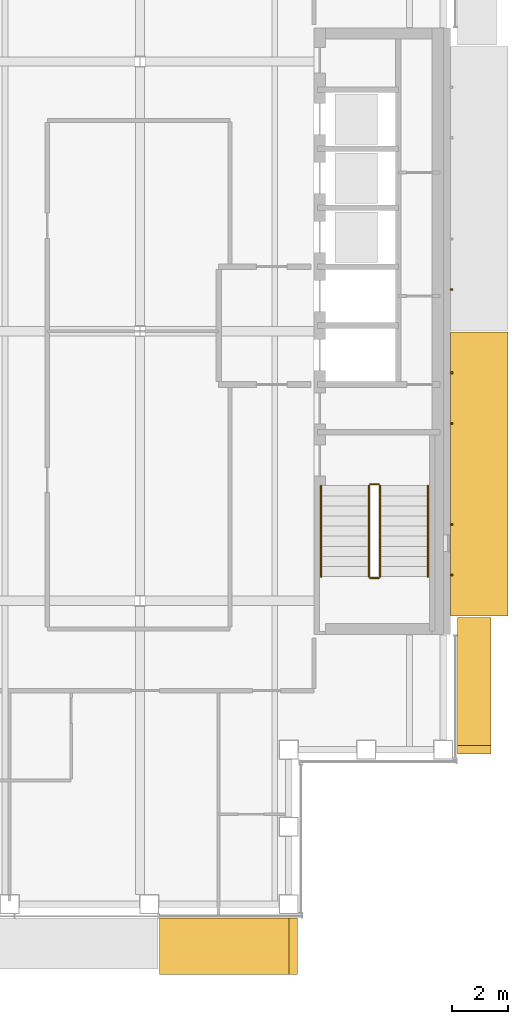
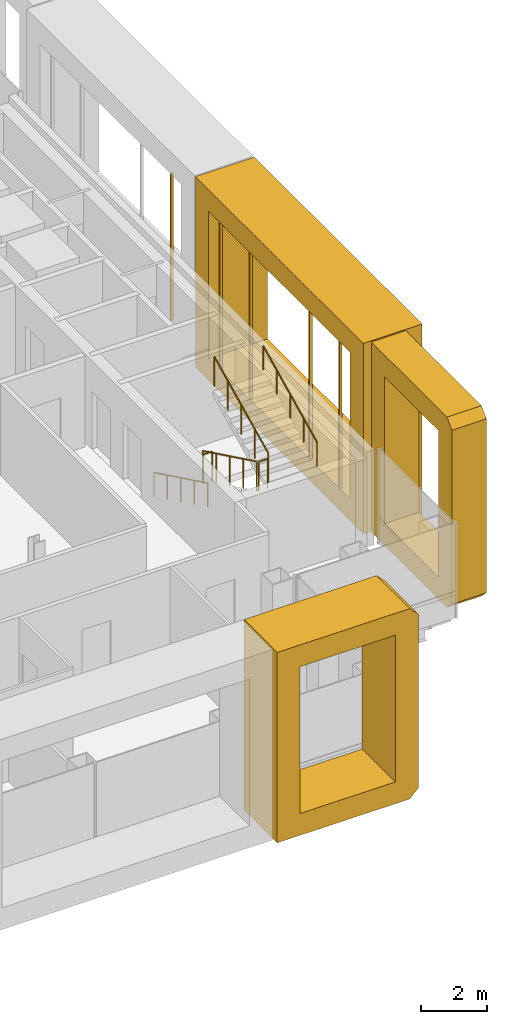
# One storey, part 16 of 19: 8 coverings, 6 railings.
"""IFC4 building model written with IfcOpenShell, lengths in metres."""

from ifc_helpers import new_model, si_unit, direction, frame, origin, origin_2d, place, context, subcontext, project, spatial, polyline, rectangle, circle, outline, extrude, material, type_object, element, save


model = new_model("IFC4")

# Units and contexts
model_context = context("Model", 3, precision=1e-05, world=origin(), true_north=direction((0.0, 1.0)))
body_context = subcontext(model_context, "Body", "Model", "MODEL_VIEW")
ifc_project = project(units=[si_unit("LENGTHUNIT", "METRE"), si_unit("AREAUNIT", "SQUARE_METRE"), si_unit("VOLUMEUNIT", "CUBIC_METRE"), si_unit("PLANEANGLEUNIT", "RADIAN"), si_unit("MASSUNIT", "GRAM", prefix="KILO")], contexts=[model_context])

# Site, building, storey
site_placement = place(None, origin())
site = spatial("IfcSite", under=ifc_project, at=site_placement, CompositionType="ELEMENT")
building_placement = place(site_placement, origin())
building = spatial("IfcBuilding", under=site, at=building_placement, Name="Cobrizo Arcos Hotel Tower", CompositionType="ELEMENT")
storey_placement = place(building_placement, frame((0.0, 0.0, 198.0)))
storey = spatial("IfcBuildingStorey", under=building, at=storey_placement, Name="L51", CompositionType="ELEMENT", Elevation=198.0)

# Coverings
ifc_material_1 = material(Name="Aluminium 6063-T6 anodised bronze", Category="aluminium")
covering_type_1 = type_object("IfcCoveringType", Name="FIN-F 1200", PredefinedType="CLADDING", material=ifc_material_1)
covering_1_placement = place(storey_placement, frame((20.89990234375, -15.050048828125, 0.0), z_axis=(1.0, 0.0, 0.0), x_axis=(0.0, 1.0, 0.0)))
element("IfcCovering", 1, at=covering_1_placement, inside=storey, type_object=covering_type_1, Name="Fin frame 309", PredefinedType="CLADDING", context=body_context, shape_type="SweptSolid", body=[
    extrude(outline(polyline([(0.0, 0.300048828125), (0.300048828125, 0.0), (4.8583984375, 0.0), (4.8583984375, 7.0), (0.300048828125, 7.0), (0.0, 6.699951171875), (0.0, 0.300048828125)]), holes=[polyline([(4.058349609375, 0.800048828125), (0.800048828125, 0.800048828125), (0.800048828125, 6.199951171875), (4.058349609375, 6.199951171875), (4.058349609375, 0.800048828125)])]), origin(), (0.0, 0.0, 1.0), 1.2001953125),
])
covering_type_2 = type_object("IfcCoveringType", Name="FIN-F 2000", PredefinedType="CLADDING", material=ifc_material_1)
covering_2_placement = place(storey_placement, frame((10.291748046875, -20.89990234375, 0.0), z_axis=(0.0, -1.0, 0.0), x_axis=(1.0, 0.0, 0.0)))
element("IfcCovering", 2, at=covering_2_placement, inside=storey, type_object=covering_type_2, Name="Fin frame 330", PredefinedType="CLADDING", context=body_context, shape_type="SweptSolid", body=[
    extrude(outline(polyline([(0.0, 7.0), (0.0, 0.0), (4.6083984375, 0.0), (4.908203125, 0.300048828125), (4.908203125, 6.699951171875), (4.6083984375, 7.0), (0.0, 7.0)]), holes=[polyline([(4.1083984375, 0.800048828125), (0.800048828125, 0.800048828125), (0.800048828125, 6.199951171875), (4.1083984375, 6.199951171875), (4.1083984375, 0.800048828125)])]), origin(), (0.0, 0.0, 1.0), 2.0),
])
covering_type_3 = type_object("IfcCoveringType", Name="FIN-F 2050", PredefinedType="CLADDING", material=ifc_material_1)
covering_3_placement = place(storey_placement, frame((20.64990234375, -10.1416015625, 0.0), z_axis=(1.0, 0.0, 0.0), x_axis=(0.0, 1.0, 0.0)))
element("IfcCovering", 3, at=covering_3_placement, inside=storey, type_object=covering_type_3, Name="Fin frame 310", PredefinedType="CLADDING", context=body_context, shape_type="SweptSolid", body=[
    extrude(outline(polyline([(0.0, 7.0), (0.0, 0.0), (10.11669921875, 0.0), (10.11669921875, 7.0), (0.0, 7.0)]), holes=[polyline([(9.316650390625, 0.800048828125), (0.800048828125, 0.800048828125), (0.800048828125, 6.199951171875), (9.316650390625, 6.199951171875), (9.316650390625, 0.800048828125)])]), origin(), (0.0, 0.0, 1.0), 2.050048828125),
])
ifc_material_2 = material(Name="Aluminium 6063-T6 anodised pale", Category="aluminium")
covering_type_4 = type_object("IfcCoveringType", Name="RS-1 rainscreen rib 60x90", PredefinedType="CLADDING", material=ifc_material_2)
for number, where, z_axis, x_axis, name in (
    (4, (20.695068359375, -8.683349609375, 0.800048828125), (0.0, 0.0, 1.0), (0.0, 1.0, 0.0), "Rainscreen rib 193"),
    (5, (20.695068359375, -6.88330078125, 0.800048828125), (0.0, 0.0, 1.0), (0.0, 1.0, 0.0), "Rainscreen rib 194"),
    (6, (20.695068359375, -3.283447265625, 0.800048828125), (0.0, 0.0, 1.0), (0.0, 1.0, 0.0), "Rainscreen rib 195"),
    (7, (20.695068359375, -1.4833984375, 0.800048828125), (0.0, 0.0, 1.0), (0.0, 1.0, 0.0), "Rainscreen rib 196"),
    (8, (20.695068359375, 1.4833984375, 0.800048828125), (0.0, 0.0, 1.0), (0.0, 1.0, 0.0), "Rainscreen rib 197"),
):
    element("IfcCovering", number, at=place(storey_placement, frame(where, z_axis=z_axis, x_axis=x_axis)), inside=storey, type_object=covering_type_4, Name=name, PredefinedType="CLADDING", context=body_context, shape_type="SweptSolid", body=[
        extrude(rectangle(XDim=0.06005859375, YDim=0.090087890625, at=origin_2d()), origin(), (0.0, 0.0, 1.0), 5.39990234375),
    ])

# Railings
ifc_material_3 = material(Name="Stainless steel railing", Category="steel")
railing_type_1 = type_object("IfcRailingType", Name="Stair guard 1100", PredefinedType="GUARDRAIL", material=ifc_material_3)
railing_1_placement = place(storey_placement, frame((17.75, -5.5, 0.175048828125)))
element("IfcRailing", 9, at=railing_1_placement, inside=storey, type_object=railing_type_1, Name="L51 ST-E stair guard 1", PredefinedType="GUARDRAIL", context=body_context, shape_type="SweptSolid", body=[
    extrude(circle(Radius=0.02392578125, at=origin_2d()), frame((0.0, 0.0, 1.076171875), z_axis=(0.0, -0.899372665325, 0.437182809435), x_axis=(1.0, 0.0, 0.0)), (0.0, 0.0, 1.0), 3.6025390625),
    extrude(circle(Radius=0.02099609375, at=origin_2d()), origin(), (0.0, 0.0, 1.0), 1.052001953125),
    extrude(circle(Radius=0.02099609375, at=origin_2d()), frame((0.0, -0.81005859375, 0.393798828125)), (0.0, 0.0, 1.0), 1.052001953125),
    extrude(circle(Radius=0.02099609375, at=origin_2d()), frame((0.0, -1.6201171875, 0.78759765625)), (0.0, 0.0, 1.0), 1.052001953125),
    extrude(circle(Radius=0.02099609375, at=origin_2d()), frame((0.0, -2.429931640625, 1.18115234375)), (0.0, 0.0, 1.0), 1.052001953125),
    extrude(circle(Radius=0.02099609375, at=origin_2d()), frame((0.0, -3.239990234375, 1.574951171875)), (0.0, 0.0, 1.0), 1.052001953125),
])
railing_2_placement = place(storey_placement, frame((17.800048828125, -8.7900390625, 1.75)))
element("IfcRailing", 10, at=railing_2_placement, inside=storey, type_object=railing_type_1, Name="L51 ST-E stair guard 2", PredefinedType="GUARDRAIL", context=body_context, shape_type="SweptSolid", body=[
    extrude(circle(Radius=0.02392578125, at=origin_2d()), frame((0.0, 0.0, 1.076171875), z_axis=(1.0, 0.0, 0.0), x_axis=(0.0, 1.0, 0.0)), (0.0, 0.0, 1.0), 0.300048828125),
    extrude(circle(Radius=0.02099609375, at=origin_2d()), origin(), (0.0, 0.0, 1.0), 1.052001953125),
    extrude(circle(Radius=0.02099609375, at=origin_2d()), frame((0.300048828125, 0.0, 0.0)), (0.0, 0.0, 1.0), 1.052001953125),
])
railing_3_placement = place(storey_placement, frame((18.14990234375, -8.739990234375, 1.925048828125)))
element("IfcRailing", 11, at=railing_3_placement, inside=storey, type_object=railing_type_1, Name="L51 ST-E stair guard 3", PredefinedType="GUARDRAIL", context=body_context, shape_type="SweptSolid", body=[
    extrude(circle(Radius=0.02392578125, at=origin_2d()), frame((0.0, 0.0, 1.076171875), z_axis=(0.0, 0.899372665325, 0.437182809435), x_axis=(-1.0, 0.0, 0.0)), (0.0, 0.0, 1.0), 3.6025390625),
    extrude(circle(Radius=0.02099609375, at=origin_2d()), origin(), (0.0, 0.0, 1.0), 1.052001953125),
    extrude(circle(Radius=0.02099609375, at=origin_2d()), frame((0.0, 0.81005859375, 0.393798828125)), (0.0, 0.0, 1.0), 1.052001953125),
    extrude(circle(Radius=0.02099609375, at=origin_2d()), frame((0.0, 1.6201171875, 0.78759765625)), (0.0, 0.0, 1.0), 1.052001953125),
    extrude(circle(Radius=0.02099609375, at=origin_2d()), frame((0.0, 2.429931640625, 1.18115234375)), (0.0, 0.0, 1.0), 1.052001953125),
    extrude(circle(Radius=0.02099609375, at=origin_2d()), frame((0.0, 3.239990234375, 1.574951171875)), (0.0, 0.0, 1.0), 1.052001953125),
])
railing_4_placement = place(storey_placement, frame((17.800048828125, -5.449951171875, 0.0)))
element("IfcRailing", 12, at=railing_4_placement, inside=storey, type_object=railing_type_1, Name="L51 ST-E stair guard 4", PredefinedType="GUARDRAIL", context=body_context, shape_type="SweptSolid", body=[
    extrude(circle(Radius=0.02392578125, at=origin_2d()), frame((0.0, 0.0, 1.076171875), z_axis=(1.0, 0.0, 0.0), x_axis=(0.0, 1.0, 0.0)), (0.0, 0.0, 1.0), 0.300048828125),
    extrude(circle(Radius=0.02099609375, at=origin_2d()), origin(), (0.0, 0.0, 1.0), 1.052001953125),
    extrude(circle(Radius=0.02099609375, at=origin_2d()), frame((0.300048828125, 0.0, 0.0)), (0.0, 0.0, 1.0), 1.052001953125),
])
railing_type_2 = type_object("IfcRailingType", Name="Stair handrail", PredefinedType="HANDRAIL", material=ifc_material_3)
railing_5_placement = place(storey_placement, frame((16.050048828125, -5.5, 0.175048828125)))
element("IfcRailing", 13, at=railing_5_placement, inside=storey, type_object=railing_type_2, Name="L51 ST-E stair handrail 1", PredefinedType="HANDRAIL", context=body_context, shape_type="SweptSolid", body=[
    extrude(circle(Radius=0.02392578125, at=origin_2d()), frame((0.0, 0.0, 0.8759765625), z_axis=(0.0, -0.899372665325, 0.437182809435), x_axis=(1.0, 0.0, 0.0)), (0.0, 0.0, 1.0), 3.6025390625),
    extrude(circle(Radius=0.02099609375, at=origin_2d()), origin(), (0.0, 0.0, 1.0), 0.851806640625),
    extrude(circle(Radius=0.02099609375, at=origin_2d()), frame((0.0, -0.81005859375, 0.393798828125)), (0.0, 0.0, 1.0), 0.851806640625),
    extrude(circle(Radius=0.02099609375, at=origin_2d()), frame((0.0, -1.6201171875, 0.78759765625)), (0.0, 0.0, 1.0), 0.851806640625),
    extrude(circle(Radius=0.02099609375, at=origin_2d()), frame((0.0, -2.429931640625, 1.18115234375)), (0.0, 0.0, 1.0), 0.851806640625),
    extrude(circle(Radius=0.02099609375, at=origin_2d()), frame((0.0, -3.239990234375, 1.574951171875)), (0.0, 0.0, 1.0), 0.851806640625),
])
railing_6_placement = place(storey_placement, frame((19.85009765625, -8.739990234375, 1.925048828125)))
element("IfcRailing", 14, at=railing_6_placement, inside=storey, type_object=railing_type_2, Name="L51 ST-E stair handrail 2", PredefinedType="HANDRAIL", context=body_context, shape_type="SweptSolid", body=[
    extrude(circle(Radius=0.02392578125, at=origin_2d()), frame((0.0, 0.0, 0.8759765625), z_axis=(0.0, 0.899372665325, 0.437182809435), x_axis=(-1.0, 0.0, 0.0)), (0.0, 0.0, 1.0), 3.6025390625),
    extrude(circle(Radius=0.02099609375, at=origin_2d()), origin(), (0.0, 0.0, 1.0), 0.851806640625),
    extrude(circle(Radius=0.02099609375, at=origin_2d()), frame((0.0, 0.81005859375, 0.393798828125)), (0.0, 0.0, 1.0), 0.851806640625),
    extrude(circle(Radius=0.02099609375, at=origin_2d()), frame((0.0, 1.6201171875, 0.78759765625)), (0.0, 0.0, 1.0), 0.851806640625),
    extrude(circle(Radius=0.02099609375, at=origin_2d()), frame((0.0, 2.429931640625, 1.18115234375)), (0.0, 0.0, 1.0), 0.851806640625),
    extrude(circle(Radius=0.02099609375, at=origin_2d()), frame((0.0, 3.239990234375, 1.574951171875)), (0.0, 0.0, 1.0), 0.851806640625),
])

save(model, "model.ifc")
